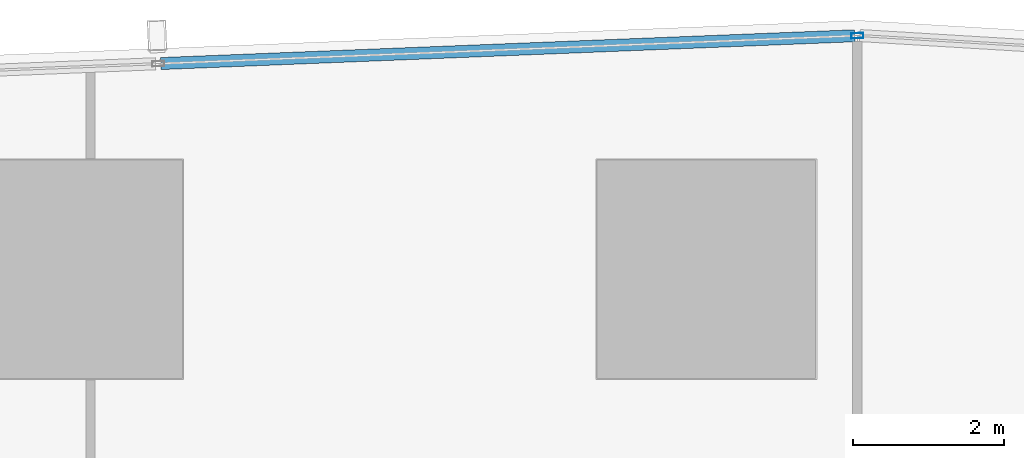
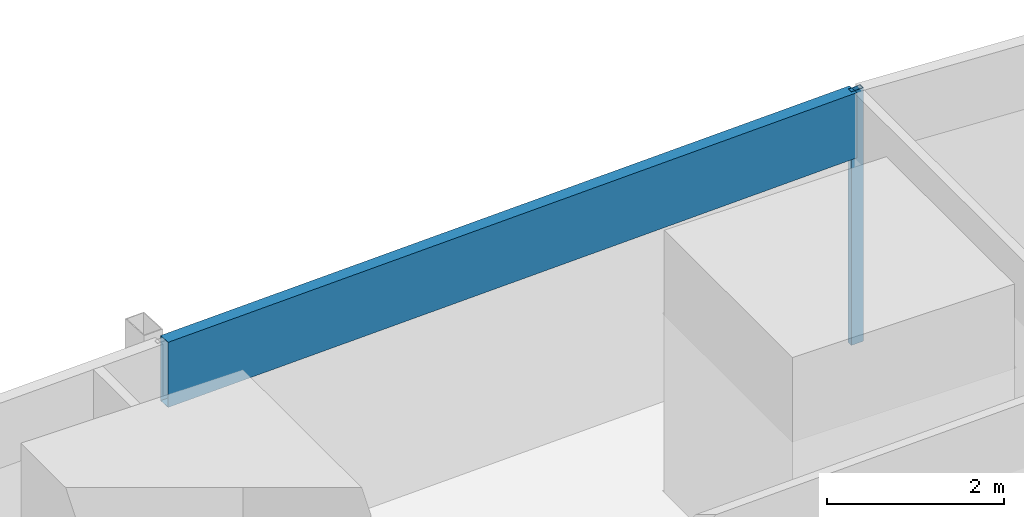
# One storey, part 21 of 40: 2 members, 1 element without a shape of its own.
"""IFC4 building model written with IfcOpenShell, lengths in metres."""

import ifcopenshell
import ifcopenshell.guid

model = None  # the IFC model being written
_history = None  # IfcOwnerHistory: only IFC2X3 demands one
_inside = {}  # id of a spatial element -> (the spatial element, [elements in it])
_under = {}  # id of a project, library or spatial element -> (it, [spatial elements below it])
_declared = {}  # id of a project -> (the project, [libraries it declares])
_typed = {}  # id of a type object -> (the type object, [elements of that type])
_made_of = {}  # id of a material, layer set ... -> (it, [elements and type objects made of it])


def new_model(schema):
    """Start an empty IFC model of exactly this schema.

    Asked for "IFC4X3", IfcOpenShell would pick the latest addendum, in which some entities
    have other attributes; the version numbers below select the first issue.
    IFC2X3 requires an IfcOwnerHistory on every rooted entity: one is made here for all.
    """
    global model, _history
    if schema == "IFC4X3":
        model = ifcopenshell.file(schema_version=(4, 3, 0, 0))
    else:
        model = ifcopenshell.file(schema=schema)
    _inside.clear()
    _under.clear()
    _declared.clear()
    _typed.clear()
    _made_of.clear()
    _history = None
    if model.schema == "IFC2X3":
        org = make("IfcOrganization", Name="unknown")
        user = make(
            "IfcPersonAndOrganization",
            ThePerson=make("IfcPerson", FamilyName="unknown"),
            TheOrganization=org,
        )
        app = make(
            "IfcApplication",
            ApplicationDeveloper=org,
            Version="unknown",
            ApplicationFullName="unknown",
            ApplicationIdentifier="unknown",
        )
        _history = make(
            "IfcOwnerHistory",
            OwningUser=user,
            OwningApplication=app,
            ChangeAction="ADDED",
            CreationDate=0,
        )
    return model


def make(cls, **values):
    """One entity of the class cls with the attributes given. An attribute that is None is left unset."""
    return model.create_entity(
        cls, **{name: value for name, value in values.items() if value is not None}
    )


def rooted(cls, **values):
    """An entity with a GlobalId (a new one), such as an element, a storey or a relation."""
    return make(cls, GlobalId=ifcopenshell.guid.new(), OwnerHistory=_history, **values)


def si_unit(unit_type, name, prefix=None):
    """IfcSIUnit, for example si_unit("LENGTHUNIT", "METRE", prefix="MILLI")."""
    return make("IfcSIUnit", UnitType=unit_type, Prefix=prefix, Name=name)


def assignment(units):
    """IfcUnitAssignment: the units of a project."""
    return None if units is None else make("IfcUnitAssignment", Units=units)


def point(xyz):
    """IfcCartesianPoint."""
    return None if xyz is None else make("IfcCartesianPoint", Coordinates=xyz)


def direction(xyz):
    """IfcDirection."""
    return None if xyz is None else make("IfcDirection", DirectionRatios=xyz)


def frame(location, z_axis=None, x_axis=None):
    """IfcAxis2Placement3D, a coordinate frame: its origin and axes. An axis left out is left unset."""
    return make(
        "IfcAxis2Placement3D",
        Location=point(location),
        Axis=direction(z_axis),
        RefDirection=direction(x_axis),
    )


def frame_2d(location, x_axis=None):
    """IfcAxis2Placement2D, a coordinate frame in the plane: its origin and x axis."""
    return make(
        "IfcAxis2Placement2D", Location=point(location), RefDirection=direction(x_axis)
    )


def origin():
    """The frame at (0, 0, 0) with its axes left unset."""
    return frame((0.0, 0.0, 0.0))


def origin_2d():
    """The frame at (0, 0) in the plane with its x axis left unset."""
    return frame_2d((0.0, 0.0))


def place(relative_to, where):
    """IfcLocalPlacement: puts the frame where relative to a parent placement (None: the world)."""
    return make(
        "IfcLocalPlacement", PlacementRelTo=relative_to, RelativePlacement=where
    )


def context(
    kind, dimensions, precision=None, world=None, true_north=None, identifier=None
):
    """IfcGeometricRepresentationContext, for example the 3D "Model" context."""
    return make(
        "IfcGeometricRepresentationContext",
        ContextIdentifier=identifier,
        ContextType=kind,
        CoordinateSpaceDimension=dimensions,
        Precision=precision,
        WorldCoordinateSystem=world,
        TrueNorth=true_north,
    )


def subcontext(parent, identifier, kind, view, scale=None):
    """IfcGeometricRepresentationSubContext, for example "Body" below "Model"."""
    return make(
        "IfcGeometricRepresentationSubContext",
        ContextIdentifier=identifier,
        ContextType=kind,
        ParentContext=parent,
        TargetScale=scale,
        TargetView=view,
    )


def project(units=None, contexts=None):
    """IfcProject with its units and contexts."""
    return rooted(
        "IfcProject",
        Name="project",
        RepresentationContexts=contexts,
        UnitsInContext=assignment(units),
    )


def spatial(cls, under=None, at=None, **own):
    """A site, building, storey or space (cls), placed at a placement, below another one or the project."""
    s = rooted(cls, ObjectPlacement=at, **own)
    if under is not None:
        _under.setdefault(under.id(), (under, []))[1].append(s)
    return s


def profile(cls, at=None, kind="AREA", **sizes):
    """A parametric profile (cls). Its sizes go by their IFC names, for example OverallWidth=200.0."""
    return make(cls, ProfileType=kind, Position=at, **sizes)


def hollow_rectangle(**sizes):
    """IfcRectangleHollowProfileDef."""
    return profile("IfcRectangleHollowProfileDef", **sizes)


def extrude(swept, where, along, depth):
    """IfcExtrudedAreaSolid: the profile swept, set in the frame where, extruded along a direction by depth."""
    return make(
        "IfcExtrudedAreaSolid",
        SweptArea=swept,
        Position=where,
        ExtrudedDirection=direction(along),
        Depth=depth,
    )


def shape(context_of_items, identifier, shape_type, items):
    """IfcShapeRepresentation: the items that make up one representation, for example the "Body"."""
    return make(
        "IfcShapeRepresentation",
        ContextOfItems=context_of_items,
        RepresentationIdentifier=identifier,
        RepresentationType=shape_type,
        Items=items,
    )


def material(Name=None, Category=None):
    """IfcMaterial."""
    return make("IfcMaterial", Name=Name, Category=Category)


def material_profile(
    of_material, cross_section, Name=None, Category=None, Priority=None
):
    """IfcMaterialProfile: a cross section and its material."""
    return make(
        "IfcMaterialProfile",
        Name=Name,
        Material=of_material,
        Profile=cross_section,
        Priority=Priority,
        Category=Category,
    )


def profile_set(profiles, Name=None, composite=None):
    """IfcMaterialProfileSet."""
    return make(
        "IfcMaterialProfileSet",
        Name=Name,
        MaterialProfiles=profiles,
        CompositeProfile=composite,
    )


def made_of(thing, what):
    """Note that an element or type object is made of a material, layer set ...; save() writes the relation."""
    if what is not None:
        _made_of.setdefault(what.id(), (what, []))[1].append(thing)
    return thing


def type_object(cls, material=None, **own):
    """A type object (cls), such as IfcWallType, which elements share."""
    return made_of(rooted(cls, **own), material)


def element(
    cls,
    number,
    at=None,
    inside=None,
    cuts=None,
    type_object=None,
    material=None,
    context=None,
    identifier="Body",
    shape_type=None,
    held_by="IfcProductDefinitionShape",
    body=None,
    shapes=None,
    **own,
):
    """One element of the class cls, such as IfcWall. Its Tag is "e" and its number.

    at: its placement. inside: the storey or other place that contains it. cuts: it is an
    opening in that element (IfcRelVoidsElement). A single representation is given by context,
    identifier, shape_type and body (its items); several are given by shapes. held_by: the class
    of the entity that holds the representations. save() writes the other relations.
    """
    e = rooted(cls, Tag="e%d" % number, ObjectPlacement=at, **own)
    if body is not None:
        shapes = [shape(context, identifier, shape_type, body)]
    if shapes is not None:
        e.Representation = make(held_by, Representations=shapes)
    if inside is not None:
        _inside.setdefault(inside.id(), (inside, []))[1].append(e)
    if cuts is not None:
        rooted(
            "IfcRelVoidsElement", RelatingBuildingElement=cuts, RelatedOpeningElement=e
        )
    if type_object is not None:
        _typed.setdefault(type_object.id(), (type_object, []))[1].append(e)
    return made_of(e, material)


def aggregate(whole, parts):
    """IfcRelAggregates: a whole, such as a stair, and the parts it consists of."""
    return rooted("IfcRelAggregates", RelatingObject=whole, RelatedObjects=parts)


def save(model, path):
    """Write the relations noted so far, then the file.

    IfcRelAggregates (storeys below a building ...), IfcRelContainedInSpatialStructure (elements
    in a storey), IfcRelDefinesByType, IfcRelAssociatesMaterial and IfcRelDeclares: one each for
    every whole, place, type object, material and project.
    """
    for whole, parts in _under.values():
        aggregate(whole, parts)
    for where, things in _inside.values():
        rooted(
            "IfcRelContainedInSpatialStructure",
            RelatedElements=things,
            RelatingStructure=where,
        )
    for kind, things in _typed.values():
        rooted("IfcRelDefinesByType", RelatedObjects=things, RelatingType=kind)
    for what, things in _made_of.values():
        rooted("IfcRelAssociatesMaterial", RelatedObjects=things, RelatingMaterial=what)
    for by, libraries in _declared.values():
        rooted("IfcRelDeclares", RelatingContext=by, RelatedDefinitions=libraries)
    model.write(path)


model = new_model("IFC4")

# Units and contexts
model_context = context("Model", 3, precision=1e-05, world=origin(), true_north=direction((0.0, 1.0)))
body_context = subcontext(model_context, "Body", "Model", "MODEL_VIEW")
ifc_project = project(units=[si_unit("LENGTHUNIT", "METRE"), si_unit("AREAUNIT", "SQUARE_METRE"), si_unit("VOLUMEUNIT", "CUBIC_METRE"), si_unit("PLANEANGLEUNIT", "RADIAN"), si_unit("MASSUNIT", "GRAM", prefix="KILO")], contexts=[model_context])

# Site, building, storey
site_placement = place(None, origin())
site = spatial("IfcSite", under=ifc_project, at=site_placement, CompositionType="ELEMENT")
building_placement = place(site_placement, origin())
building = spatial("IfcBuilding", under=site, at=building_placement, Name="Rekha Terrace Tower", CompositionType="ELEMENT")
storey_placement = place(building_placement, frame((0.0, 0.0, 95.300048828125)))
storey = spatial("IfcBuildingStorey", under=building, at=storey_placement, Name="L23", CompositionType="ELEMENT", Elevation=95.300048828125)

# Curtain wall, members
ifc_material_1 = material(Name="Aluminium framing", Category="aluminium")
curtain_wall_type = type_object("IfcCurtainWallType", Name="CW3 north unitised glazing", PredefinedType="USERDEFINED", material=ifc_material_1)
curtain_wall_placement = place(storey_placement, origin())
curtain_wall = element("IfcCurtainWall", 1, at=curtain_wall_placement, inside=storey, type_object=curtain_wall_type, Name="CW3 unitised curtain wall", ObjectType="UNITISED CURTAIN WALL", PredefinedType="USERDEFINED")
ifc_material_2 = material(Name="Aluminium mullion section", Category="aluminium")
ifc_material_profile_1 = material_profile(ifc_material_2, hollow_rectangle(XDim=0.070068359375, YDim=0.159912109375, WallThickness=0.00390625, at=origin_2d()), Name="AL RHS 70x160")
ifc_profile_set_1 = profile_set([ifc_material_profile_1], Name="Aluminium mullion section")
member_type_1 = type_object("IfcMemberType", Name="CW3 mullion RHS 70 x 160", PredefinedType="MULLION", material=ifc_profile_set_1)
member_1_placement = place(storey_placement, frame((44.0029296875, 61.8984375, 0.0), z_axis=(0.0, 0.0, 1.0), x_axis=(0.040031987119, -0.999198398721, 0.0)))
member_1 = element("IfcMember", 2, at=member_1_placement, type_object=member_type_1, Name="CW3 mullion 1", PredefinedType="MULLION", context=body_context, shape_type="SweptSolid", body=[
    extrude(hollow_rectangle(XDim=0.070068359375, YDim=0.159912109375, WallThickness=0.00390625, at=origin_2d()), origin(), (0.0, 0.0, 1.0), 3.5),
])
ifc_material_3 = material(Name="Insulated aluminium spandrel box", Category="aluminium")
ifc_material_profile_2 = material_profile(ifc_material_3, hollow_rectangle(XDim=0.159912109375, YDim=0.89990234375, WallThickness=0.0029296875, at=origin_2d()), Name="AL SPANDREL BOX 160x900")
ifc_profile_set_2 = profile_set([ifc_material_profile_2], Name="Insulated aluminium spandrel box")
member_type_2 = type_object("IfcMemberType", Name="CW3 spandrel transom 160 x 900", PredefinedType="USERDEFINED", material=ifc_profile_set_2)
member_2_placement = place(storey_placement, frame((43.968017578125, 61.89697265625, 3.050048828125), z_axis=(-0.999198290018, -0.04003470026, 0.0), x_axis=(0.04003470026, -0.999198290018, 0.0)))
member_2 = element("IfcMember", 3, at=member_2_placement, type_object=member_type_2, Name="CW3 spandrel transom 1", ObjectType="TRANSOM", PredefinedType="USERDEFINED", context=body_context, shape_type="SweptSolid", body=[
    extrude(hollow_rectangle(XDim=0.159912109375, YDim=0.89990234375, WallThickness=0.0029296875, at=origin_2d()), origin(), (0.0, 0.0, 1.0), 9.21435546875),
])
aggregate(curtain_wall, [member_1, member_2])

save(model, "model.ifc")
